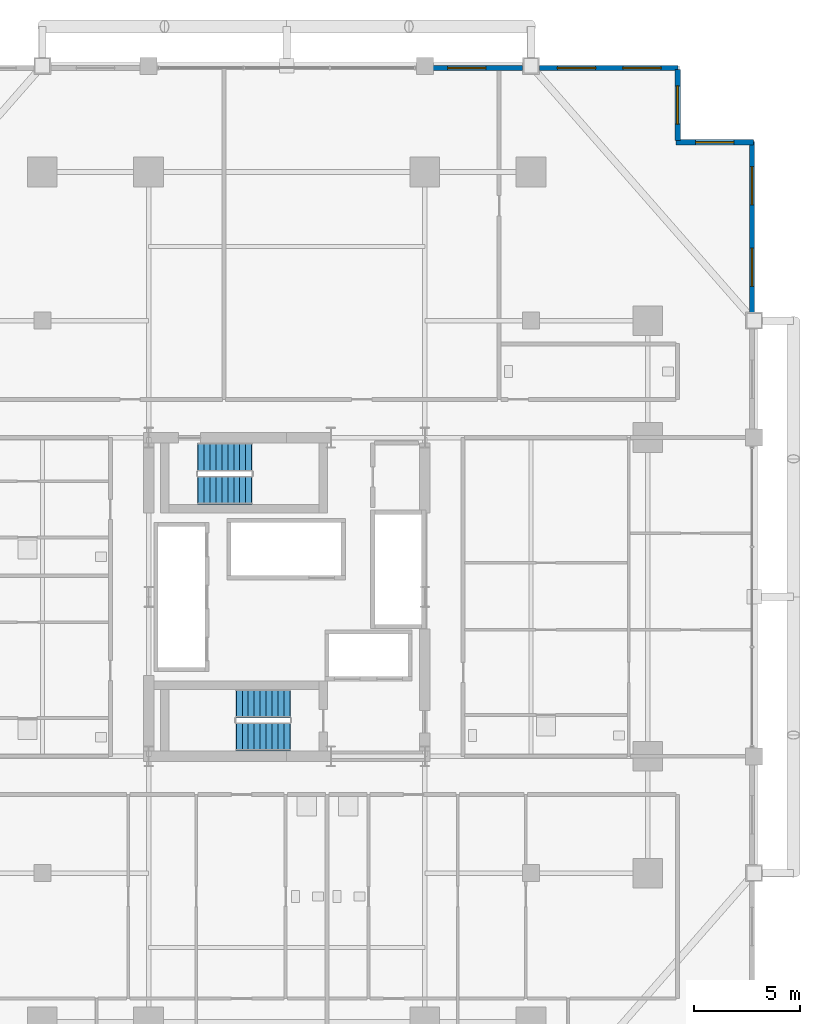
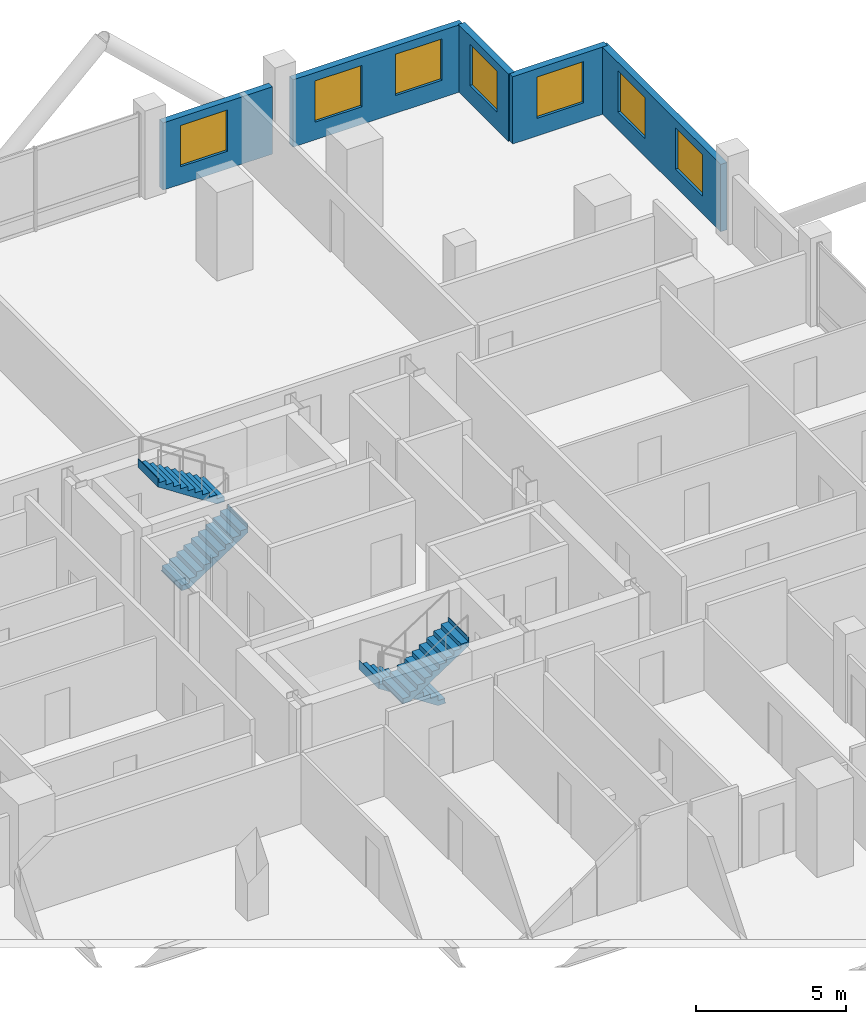
# One storey, part 25 of 27: 7 windows, 5 walls, 4 stair flights, 7 openings, 2 elements without a shape of their own.
"""IFC4 building model written with IfcOpenShell, lengths in metres."""

from ifc_helpers import new_model, si_unit, direction, frame, frame_2d, origin, place, context, subcontext, project, spatial, polyline, rectangle, outline, extrude, material, layer, layer_set, type_object, element, fill, aggregate, save


model = new_model("IFC4")

# Units and contexts
model_context = context("Model", 3, precision=1e-05, world=origin(), true_north=direction((0.0, 1.0)))
body_context = subcontext(model_context, "Body", "Model", "MODEL_VIEW")
ifc_project = project(units=[si_unit("LENGTHUNIT", "METRE"), si_unit("AREAUNIT", "SQUARE_METRE"), si_unit("VOLUMEUNIT", "CUBIC_METRE"), si_unit("PLANEANGLEUNIT", "RADIAN"), si_unit("MASSUNIT", "GRAM", prefix="KILO")], contexts=[model_context])

# Site, building, storey
site_placement = place(None, origin())
site = spatial("IfcSite", under=ifc_project, at=site_placement, CompositionType="ELEMENT")
building_placement = place(site_placement, origin())
building = spatial("IfcBuilding", under=site, at=building_placement, Name="Barlavira Tower and Art Museum", CompositionType="ELEMENT")
storey_placement = place(building_placement, frame((0.0, 0.0, 50.39990234375)))
storey = spatial("IfcBuildingStorey", under=building, at=storey_placement, Name="L11", CompositionType="ELEMENT", Elevation=50.39990234375)

# Wall, openings, windows
ifc_material_1 = material(Name="Precast concrete C40", Category="concrete")
ifc_layer = layer(ifc_material_1, 0.25, Name="Precast concrete C40")
ifc_layer_set = layer_set([ifc_layer], Name="Precast concrete C40")
wall_type = type_object("IfcWallType", Name="Notched Corner Spandrel Wall 250 Precast Concrete C40", PredefinedType="SOLIDWALL", material=ifc_layer_set)
wall_1_placement = place(storey_placement, frame((18.425048828125, 24.89990234375, 0.0), z_axis=(0.0, 0.0, 1.0), x_axis=(-1.0, 0.0, 0.0)))
wall_1 = element("IfcWall", 1, at=wall_1_placement, inside=storey, type_object=wall_type, Name="L11 Coastal Facade Pier Wall CW1-L11-N-1", PredefinedType="SOLIDWALL", context=body_context, shape_type="SweptSolid", body=[
    extrude(rectangle(XDim=6.530029296875, YDim=0.25, at=frame_2d((3.26513671875, 0.0))), origin(), (0.0, 0.0, 1.0), 2.736083984375),
])
opening_1_placement = place(wall_1_placement, frame((0.801025390625, 0.0, 0.719970703125)))
opening_1 = element("IfcOpeningElement", 2, at=opening_1_placement, cuts=wall_1, Name="Opening WN-01", PredefinedType="OPENING", context=body_context, shape_type="SweptSolid", body=[
    extrude(rectangle(XDim=1.800048828125, YDim=1.679931640625, at=frame_2d((0.89990234375, 0.83984375))), frame((0.0, 0.135009765625, 0.0), z_axis=(0.0, -1.0, 0.0), x_axis=(1.0, 0.0, 0.0)), (0.0, 0.0, 1.0), 0.27001953125),
])
opening_2_placement = place(wall_1_placement, frame((3.884033203125, 0.0, 0.719970703125)))
opening_2 = element("IfcOpeningElement", 3, at=opening_2_placement, cuts=wall_1, Name="Opening WN-01", PredefinedType="OPENING", context=body_context, shape_type="SweptSolid", body=[
    extrude(rectangle(XDim=1.800048828125, YDim=1.679931640625, at=frame_2d((0.89990234375, 0.83984375))), frame((0.0, 0.135009765625, 0.0), z_axis=(0.0, -1.0, 0.0), x_axis=(1.0, 0.0, 0.0)), (0.0, 0.0, 1.0), 0.27001953125),
])
ifc_material_2 = material(Name="Low-iron coastal laminated glass", Category="glass")
window_type = type_object("IfcWindowType", Name="Recessed Notch Corner Punch Window 1800x1680", PartitioningType="SINGLE_PANEL", PredefinedType="WINDOW", material=ifc_material_2)
window_1_placement = place(opening_1_placement, origin())
window_1 = element("IfcWindow", 4, at=window_1_placement, inside=storey, type_object=window_type, Name="L11 Punched Facade Window EWP-CW1-L11-N-1-1", OverallHeight=1.679931640625, OverallWidth=1.800048828125, PartitioningType="SINGLE_PANEL", PredefinedType="WINDOW", context=body_context, shape_type="SweptSolid", body=[
    extrude(rectangle(XDim=1.800048828125, YDim=1.679931640625, at=frame_2d((0.89990234375, 0.83984375))), frame((0.0, 0.030029296875, 0.0), z_axis=(0.0, -1.0, 0.0), x_axis=(1.0, 0.0, 0.0)), (0.0, 0.0, 1.0), 0.06005859375),
])
fill(opening_1, window_1)
window_2_placement = place(opening_2_placement, origin())
window_2 = element("IfcWindow", 5, at=window_2_placement, inside=storey, type_object=window_type, Name="L11 Punched Facade Window EWP-CW1-L11-N-1-2", OverallHeight=1.679931640625, OverallWidth=1.800048828125, PartitioningType="SINGLE_PANEL", PredefinedType="WINDOW", context=body_context, shape_type="SweptSolid", body=[
    extrude(rectangle(XDim=1.800048828125, YDim=1.679931640625, at=frame_2d((0.89990234375, 0.83984375))), frame((0.0, 0.030029296875, 0.0), z_axis=(0.0, -1.0, 0.0), x_axis=(1.0, 0.0, 0.0)), (0.0, 0.0, 1.0), 0.06005859375),
])
fill(opening_2, window_2)

# Wall, opening, window
wall_2_placement = place(storey_placement, frame((11.10498046875, 24.89990234375, 0.0), z_axis=(0.0, 0.0, 1.0), x_axis=(-1.0, 0.0, 0.0)))
wall_2 = element("IfcWall", 6, at=wall_2_placement, inside=storey, type_object=wall_type, Name="L11 Coastal Facade Pier Wall CW1-L11-N-2", PredefinedType="SOLIDWALL", context=body_context, shape_type="SweptSolid", body=[
    extrude(rectangle(XDim=4.2099609375, YDim=0.25, at=frame_2d((2.10498046875, 0.0))), origin(), (0.0, 0.0, 1.0), 2.736083984375),
])
opening_3_placement = place(wall_2_placement, frame((1.735107421875, 0.0, 0.719970703125)))
opening_3 = element("IfcOpeningElement", 7, at=opening_3_placement, cuts=wall_2, Name="Opening WN-01", PredefinedType="OPENING", context=body_context, shape_type="SweptSolid", body=[
    extrude(rectangle(XDim=1.800048828125, YDim=1.679931640625, at=frame_2d((0.89990234375, 0.83984375))), frame((0.0, 0.135009765625, 0.0), z_axis=(0.0, -1.0, 0.0), x_axis=(1.0, 0.0, 0.0)), (0.0, 0.0, 1.0), 0.27001953125),
])
window_3_placement = place(opening_3_placement, origin())
window_3 = element("IfcWindow", 8, at=window_3_placement, inside=storey, type_object=window_type, Name="L11 Punched Facade Window EWP-CW1-L11-N-2-1", OverallHeight=1.679931640625, OverallWidth=1.800048828125, PartitioningType="SINGLE_PANEL", PredefinedType="WINDOW", context=body_context, shape_type="SweptSolid", body=[
    extrude(rectangle(XDim=1.800048828125, YDim=1.679931640625, at=frame_2d((0.89990234375, 0.83984375))), frame((0.0, 0.030029296875, 0.0), z_axis=(0.0, -1.0, 0.0), x_axis=(1.0, 0.0, 0.0)), (0.0, 0.0, 1.0), 0.06005859375),
])
fill(opening_3, window_3)

# Wall, openings, windows
wall_3_placement = place(storey_placement, frame((21.89990234375, 13.39501953125, 0.0), z_axis=(0.0, 0.0, 1.0), x_axis=(0.0, 1.0, 0.0)))
wall_3 = element("IfcWall", 9, at=wall_3_placement, inside=storey, type_object=wall_type, Name="L11 Coastal Facade Pier Wall CW1-L11-E-5", PredefinedType="SOLIDWALL", context=body_context, shape_type="SweptSolid", body=[
    extrude(rectangle(XDim=8.030029296875, YDim=0.25, at=frame_2d((4.01513671875, 0.0))), origin(), (0.0, 0.0, 1.0), 2.736083984375),
])
opening_4_placement = place(wall_3_placement, frame((1.220947265625, 0.0, 0.719970703125)))
opening_4 = element("IfcOpeningElement", 10, at=opening_4_placement, cuts=wall_3, Name="Opening WN-01", PredefinedType="OPENING", context=body_context, shape_type="SweptSolid", body=[
    extrude(rectangle(XDim=1.800048828125, YDim=1.679931640625, at=frame_2d((0.89990234375, 0.83984375))), frame((0.0, 0.135009765625, 0.0), z_axis=(0.0, -1.0, 0.0), x_axis=(1.0, 0.0, 0.0)), (0.0, 0.0, 1.0), 0.27001953125),
])
opening_5_placement = place(wall_3_placement, frame((5.053955078125, 0.0, 0.719970703125)))
opening_5 = element("IfcOpeningElement", 11, at=opening_5_placement, cuts=wall_3, Name="Opening WN-01", PredefinedType="OPENING", context=body_context, shape_type="SweptSolid", body=[
    extrude(rectangle(XDim=1.800048828125, YDim=1.679931640625, at=frame_2d((0.89990234375, 0.83984375))), frame((0.0, 0.135009765625, 0.0), z_axis=(0.0, -1.0, 0.0), x_axis=(1.0, 0.0, 0.0)), (0.0, 0.0, 1.0), 0.27001953125),
])
window_4_placement = place(opening_4_placement, origin())
window_4 = element("IfcWindow", 12, at=window_4_placement, inside=storey, type_object=window_type, Name="L11 Punched Facade Window EWP-CW1-L11-E-5-1", OverallHeight=1.679931640625, OverallWidth=1.800048828125, PartitioningType="SINGLE_PANEL", PredefinedType="WINDOW", context=body_context, shape_type="SweptSolid", body=[
    extrude(rectangle(XDim=1.800048828125, YDim=1.679931640625, at=frame_2d((0.89990234375, 0.83984375))), frame((0.0, 0.030029296875, 0.0), z_axis=(0.0, -1.0, 0.0), x_axis=(1.0, 0.0, 0.0)), (0.0, 0.0, 1.0), 0.06005859375),
])
fill(opening_4, window_4)
window_5_placement = place(opening_5_placement, origin())
window_5 = element("IfcWindow", 13, at=window_5_placement, inside=storey, type_object=window_type, Name="L11 Punched Facade Window EWP-CW1-L11-E-5-2", OverallHeight=1.679931640625, OverallWidth=1.800048828125, PartitioningType="SINGLE_PANEL", PredefinedType="WINDOW", context=body_context, shape_type="SweptSolid", body=[
    extrude(rectangle(XDim=1.800048828125, YDim=1.679931640625, at=frame_2d((0.89990234375, 0.83984375))), frame((0.0, 0.030029296875, 0.0), z_axis=(0.0, -1.0, 0.0), x_axis=(1.0, 0.0, 0.0)), (0.0, 0.0, 1.0), 0.06005859375),
])
fill(opening_5, window_5)

# Wall, opening, window
wall_4_placement = place(storey_placement, frame((21.97998046875, 21.39990234375, 0.0), z_axis=(0.0, 0.0, 1.0), x_axis=(-1.0, 0.0, 0.0)))
wall_4 = element("IfcWall", 14, at=wall_4_placement, inside=storey, type_object=wall_type, Name="L11 Notch Corner Wall NE1", PredefinedType="SOLIDWALL", context=body_context, shape_type="SweptSolid", body=[
    extrude(rectangle(XDim=3.659912109375, YDim=0.25, at=frame_2d((1.830078125, 0.0))), origin(), (0.0, 0.0, 1.0), 2.736083984375),
])
opening_6_placement = place(wall_4_placement, frame((0.929931640625, 0.0, 0.719970703125)))
opening_6 = element("IfcOpeningElement", 15, at=opening_6_placement, cuts=wall_4, Name="Opening WN-01", PredefinedType="OPENING", context=body_context, shape_type="SweptSolid", body=[
    extrude(rectangle(XDim=1.800048828125, YDim=1.679931640625, at=frame_2d((0.89990234375, 0.83984375))), frame((0.0, 0.135009765625, 0.0), z_axis=(0.0, -1.0, 0.0), x_axis=(1.0, 0.0, 0.0)), (0.0, 0.0, 1.0), 0.27001953125),
])
window_6_placement = place(opening_6_placement, origin())
window_6 = element("IfcWindow", 16, at=window_6_placement, inside=storey, type_object=window_type, Name="L11 Punched Facade Window EW-NTC-L11-NE1-1", OverallHeight=1.679931640625, OverallWidth=1.800048828125, PartitioningType="SINGLE_PANEL", PredefinedType="WINDOW", context=body_context, shape_type="SweptSolid", body=[
    extrude(rectangle(XDim=1.800048828125, YDim=1.679931640625, at=frame_2d((0.89990234375, 0.83984375))), frame((0.0, 0.030029296875, 0.0), z_axis=(0.0, -1.0, 0.0), x_axis=(1.0, 0.0, 0.0)), (0.0, 0.0, 1.0), 0.06005859375),
])
fill(opening_6, window_6)

wall_5_placement = place(storey_placement, frame((18.39990234375, 21.47998046875, 0.0), z_axis=(0.0, 0.0, 1.0), x_axis=(0.0, 1.0, 0.0)))
wall_5 = element("IfcWall", 17, at=wall_5_placement, inside=storey, type_object=wall_type, Name="L11 Notch Corner Wall NE2", PredefinedType="SOLIDWALL", context=body_context, shape_type="SweptSolid", body=[
    extrude(rectangle(XDim=3.340087890625, YDim=0.25, at=frame_2d((1.669921875, 0.0))), origin(), (0.0, 0.0, 1.0), 2.736083984375),
])
opening_7_placement = place(wall_5_placement, frame((0.77001953125, 0.0, 0.719970703125)))
opening_7 = element("IfcOpeningElement", 18, at=opening_7_placement, cuts=wall_5, Name="Opening WN-01", PredefinedType="OPENING", context=body_context, shape_type="SweptSolid", body=[
    extrude(rectangle(XDim=1.800048828125, YDim=1.679931640625, at=frame_2d((0.89990234375, 0.83984375))), frame((0.0, 0.135009765625, 0.0), z_axis=(0.0, -1.0, 0.0), x_axis=(1.0, 0.0, 0.0)), (0.0, 0.0, 1.0), 0.27001953125),
])
window_7_placement = place(opening_7_placement, origin())
window_7 = element("IfcWindow", 19, at=window_7_placement, inside=storey, type_object=window_type, Name="L11 Punched Facade Window EW-NTC-L11-NE2-1", OverallHeight=1.679931640625, OverallWidth=1.800048828125, PartitioningType="SINGLE_PANEL", PredefinedType="WINDOW", context=body_context, shape_type="SweptSolid", body=[
    extrude(rectangle(XDim=1.800048828125, YDim=1.679931640625, at=frame_2d((0.89990234375, 0.83984375))), frame((0.0, 0.030029296875, 0.0), z_axis=(0.0, -1.0, 0.0), x_axis=(1.0, 0.0, 0.0)), (0.0, 0.0, 1.0), 0.06005859375),
])
fill(opening_7, window_7)

# Stair, stair flights
ifc_material_3 = material(Name="Concrete C45", Category="concrete")
stair_type_1 = type_object("IfcStairType", Name="Tower North Dog-Leg Exit Stair Assembly Concrete C45", PredefinedType="TWO_QUARTER_TURN_STAIR", material=ifc_material_3)
stair_1_placement = place(storey_placement, origin())
stair_1 = element("IfcStair", 20, at=stair_1_placement, inside=storey, type_object=stair_type_1, Name="L11 Tower North Exit Stair ST-T2", PredefinedType="TWO_QUARTER_TURN_STAIR")
ifc_material_4 = material(Name="Precast concrete C45", Category="concrete")
stair_flight_type_1 = type_object("IfcStairFlightType", Name="Tower North Dog-Leg Exit Stair Precast Flight 1350 Concrete C45", PredefinedType="STRAIGHT", material=ifc_material_4)
stair_flight_1_placement = place(storey_placement, frame((-4.169921875, 5.02490234375, 0.0), z_axis=(0.0, 0.0, 1.0), x_axis=(1.0, 0.0, 0.0)))
stair_flight_1 = element("IfcStairFlight", 21, at=stair_flight_1_placement, type_object=stair_flight_type_1, Name="ST-T2 flight 1", NumberOfRisers=10, NumberOfTreads=9, PredefinedType="STRAIGHT", RiserHeight=0.18, TreadLength=0.28, context=body_context, shape_type="SweptSolid", body=[
    extrude(outline(polyline([(-0.02490234375, 0.0), (0.0, 0.0), (0.0, 0.179931640625), (0.280029296875, 0.179931640625), (0.280029296875, 0.360107421875), (0.56005859375, 0.360107421875), (0.56005859375, 0.5400390625), (0.840087890625, 0.5400390625), (0.840087890625, 0.719970703125), (1.1201171875, 0.719970703125), (1.1201171875, 0.89990234375), (1.39990234375, 0.89990234375), (1.39990234375, 1.080078125), (1.679931640625, 1.080078125), (1.679931640625, 1.260009765625), (1.9599609375, 1.260009765625), (1.9599609375, 1.43994140625), (2.239990234375, 1.43994140625), (2.239990234375, 1.6201171875), (2.52001953125, 1.6201171875), (2.52001953125, 1.800048828125), (2.544921875, 1.800048828125), (2.544921875, 1.44189453125), (2.52001953125, 1.44189453125), (0.277099609375, -0.02490234375), (-0.02490234375, -0.02490234375), (-0.02490234375, 0.0)])), frame((0.0, 0.675048828125, 0.0), z_axis=(0.0, -1.0, 0.0), x_axis=(1.0, 0.0, 0.0)), (0.0, 0.0, 1.0), 1.35009765625),
])
stair_flight_2_placement = place(storey_placement, frame((-1.64990234375, 6.574951171875, 1.800048828125), z_axis=(0.0, 0.0, 1.0), x_axis=(-1.0, 0.0, 0.0)))
stair_flight_2 = element("IfcStairFlight", 22, at=stair_flight_2_placement, type_object=stair_flight_type_1, Name="ST-T2 flight 2", NumberOfRisers=10, NumberOfTreads=9, PredefinedType="STRAIGHT", RiserHeight=0.18, TreadLength=0.28, context=body_context, shape_type="SweptSolid", body=[
    extrude(outline(polyline([(-0.02490234375, 0.0), (0.0, 0.0), (0.0, 0.179931640625), (0.280029296875, 0.179931640625), (0.280029296875, 0.360107421875), (0.56005859375, 0.360107421875), (0.56005859375, 0.5400390625), (0.840087890625, 0.5400390625), (0.840087890625, 0.719970703125), (1.1201171875, 0.719970703125), (1.1201171875, 0.89990234375), (1.39990234375, 0.89990234375), (1.39990234375, 1.080078125), (1.679931640625, 1.080078125), (1.679931640625, 1.260009765625), (1.9599609375, 1.260009765625), (1.9599609375, 1.43994140625), (2.239990234375, 1.43994140625), (2.239990234375, 1.6201171875), (2.52001953125, 1.6201171875), (2.52001953125, 1.800048828125), (2.544921875, 1.800048828125), (2.544921875, 1.44189453125), (2.52001953125, 1.44189453125), (0.277099609375, -0.02490234375), (-0.02490234375, -0.02490234375), (-0.02490234375, 0.0)])), frame((0.0, 0.675048828125, 0.0), z_axis=(0.0, -1.0, 0.0), x_axis=(1.0, 0.0, 0.0)), (0.0, 0.0, 1.0), 1.35009765625),
])
aggregate(stair_1, [stair_flight_1, stair_flight_2])

stair_type_2 = type_object("IfcStairType", Name="Tower South Dog-Leg Exit Stair Assembly Concrete C45", PredefinedType="TWO_QUARTER_TURN_STAIR", material=ifc_material_3)
stair_2_placement = place(storey_placement, origin())
stair_2 = element("IfcStair", 23, at=stair_2_placement, inside=storey, type_object=stair_type_2, Name="L11 Tower South Exit Stair ST-T1", PredefinedType="TWO_QUARTER_TURN_STAIR")
stair_flight_type_2 = type_object("IfcStairFlightType", Name="Tower South Dog-Leg Exit Stair Precast Flight 1350 Concrete C45", PredefinedType="STRAIGHT", material=ifc_material_4)
stair_flight_3_placement = place(storey_placement, frame((0.14990234375, -5.02490234375, 0.0), z_axis=(0.0, 0.0, 1.0), x_axis=(-1.0, 0.0, 0.0)))
stair_flight_3 = element("IfcStairFlight", 24, at=stair_flight_3_placement, type_object=stair_flight_type_2, Name="ST-T1 flight 1", NumberOfRisers=10, NumberOfTreads=9, PredefinedType="STRAIGHT", RiserHeight=0.18, TreadLength=0.28, context=body_context, shape_type="SweptSolid", body=[
    extrude(outline(polyline([(-0.02490234375, 0.0), (0.0, 0.0), (0.0, 0.179931640625), (0.280029296875, 0.179931640625), (0.280029296875, 0.360107421875), (0.56005859375, 0.360107421875), (0.56005859375, 0.5400390625), (0.840087890625, 0.5400390625), (0.840087890625, 0.719970703125), (1.1201171875, 0.719970703125), (1.1201171875, 0.89990234375), (1.39990234375, 0.89990234375), (1.39990234375, 1.080078125), (1.679931640625, 1.080078125), (1.679931640625, 1.260009765625), (1.9599609375, 1.260009765625), (1.9599609375, 1.43994140625), (2.239990234375, 1.43994140625), (2.239990234375, 1.6201171875), (2.52001953125, 1.6201171875), (2.52001953125, 1.800048828125), (2.544921875, 1.800048828125), (2.544921875, 1.44189453125), (2.52001953125, 1.44189453125), (0.277099609375, -0.02490234375), (-0.02490234375, -0.02490234375), (-0.02490234375, 0.0)])), frame((0.0, 0.675048828125, 0.0), z_axis=(0.0, -1.0, 0.0), x_axis=(1.0, 0.0, 0.0)), (0.0, 0.0, 1.0), 1.35009765625),
])
stair_flight_4_placement = place(storey_placement, frame((-2.3701171875, -6.574951171875, 1.800048828125), z_axis=(0.0, 0.0, 1.0), x_axis=(1.0, 0.0, 0.0)))
stair_flight_4 = element("IfcStairFlight", 25, at=stair_flight_4_placement, type_object=stair_flight_type_2, Name="ST-T1 flight 2", NumberOfRisers=10, NumberOfTreads=9, PredefinedType="STRAIGHT", RiserHeight=0.18, TreadLength=0.28, context=body_context, shape_type="SweptSolid", body=[
    extrude(outline(polyline([(-0.02490234375, 0.0), (0.0, 0.0), (0.0, 0.179931640625), (0.280029296875, 0.179931640625), (0.280029296875, 0.360107421875), (0.56005859375, 0.360107421875), (0.56005859375, 0.5400390625), (0.840087890625, 0.5400390625), (0.840087890625, 0.719970703125), (1.1201171875, 0.719970703125), (1.1201171875, 0.89990234375), (1.39990234375, 0.89990234375), (1.39990234375, 1.080078125), (1.679931640625, 1.080078125), (1.679931640625, 1.260009765625), (1.9599609375, 1.260009765625), (1.9599609375, 1.43994140625), (2.239990234375, 1.43994140625), (2.239990234375, 1.6201171875), (2.52001953125, 1.6201171875), (2.52001953125, 1.800048828125), (2.544921875, 1.800048828125), (2.544921875, 1.44189453125), (2.52001953125, 1.44189453125), (0.277099609375, -0.02490234375), (-0.02490234375, -0.02490234375), (-0.02490234375, 0.0)])), frame((0.0, 0.675048828125, 0.0), z_axis=(0.0, -1.0, 0.0), x_axis=(1.0, 0.0, 0.0)), (0.0, 0.0, 1.0), 1.35009765625),
])
aggregate(stair_2, [stair_flight_3, stair_flight_4])

save(model, "model.ifc")
